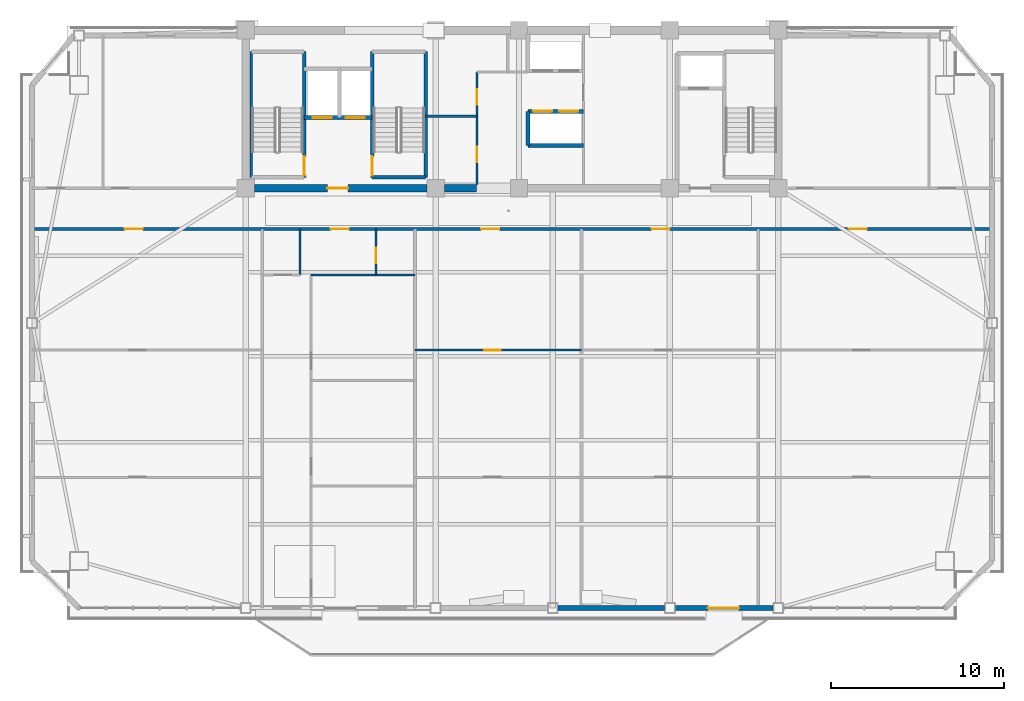
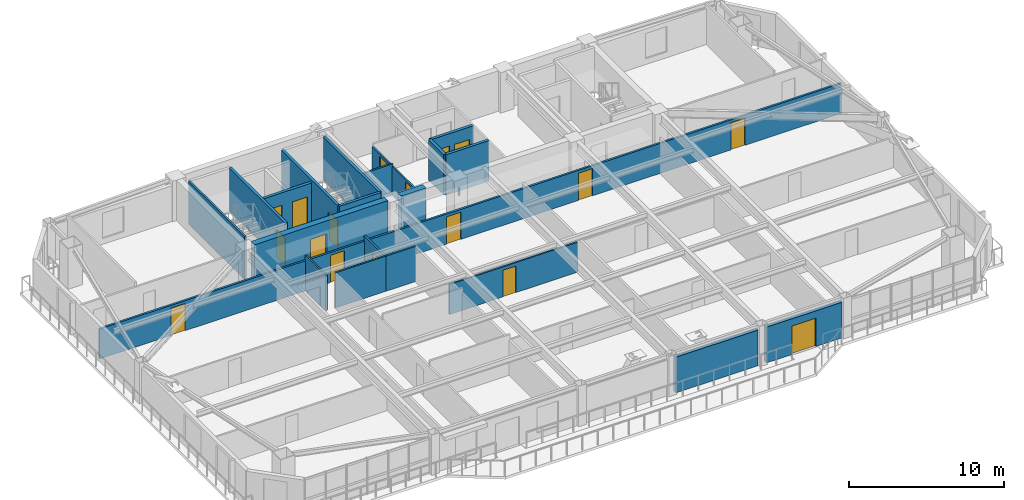
# One storey, part 9 of 16: 21 walls, 17 doors, 17 openings.
"""IFC4 building model written with IfcOpenShell, lengths in metres."""

from ifc_helpers import new_model, si_unit, direction, frame, frame_2d, origin, place, context, subcontext, project, spatial, rectangle, extrude, source, transform, mapped, material, layer, layer_set, type_object, element, fill, save


model = new_model("IFC4")

# Units and contexts
model_context = context("Model", 3, precision=1e-05, world=origin(), true_north=direction((0.0, 1.0)))
body_context = subcontext(model_context, "Body", "Model", "MODEL_VIEW")
ifc_project = project(units=[si_unit("LENGTHUNIT", "METRE"), si_unit("AREAUNIT", "SQUARE_METRE"), si_unit("VOLUMEUNIT", "CUBIC_METRE"), si_unit("PLANEANGLEUNIT", "RADIAN"), si_unit("MASSUNIT", "GRAM", prefix="KILO")], contexts=[model_context])

# Site, building, storey
site_placement = place(None, origin())
site = spatial("IfcSite", under=ifc_project, at=site_placement, CompositionType="ELEMENT")
building_placement = place(site_placement, origin())
building = spatial("IfcBuilding", under=site, at=building_placement, Name="Giltprow Tower", CompositionType="ELEMENT")
storey_placement = place(building_placement, frame((0.0, 0.0, 230.39990234375)))
storey = spatial("IfcBuildingStorey", under=building, at=storey_placement, Name="L58", CompositionType="ELEMENT", Elevation=230.39990234375)

# Wall
ifc_material_1 = material(Name="Precast concrete C40", Category="concrete")
ifc_layer_1 = layer(ifc_material_1, 0.280029296875, Name="Precast concrete C40")
ifc_layer_set_1 = layer_set([ifc_layer_1], Name="Precast concrete C40")
wall_type_1 = type_object("IfcWallType", Name="EW-TOW-BRONZE-280", PredefinedType="SOLIDWALL", material=ifc_layer_set_1)
wall_1_placement = place(storey_placement, frame((37.85009765625, 13.25, 0.0), z_axis=(0.0, 0.0, 1.0), x_axis=(1.0, 0.0, 0.0)))
element("IfcWall", 1, at=wall_1_placement, inside=storey, type_object=wall_type_1, Name="L58 South Expressed Frame Wall 4", PredefinedType="SOLIDWALL", context=body_context, shape_type="SweptSolid", body=[
    extrude(rectangle(XDim=6.14990234375, YDim=0.280029296875, at=frame_2d((3.074951171875, 0.0))), origin(), (0.0, 0.0, 1.0), 2.815185546875),
])

# Wall, opening, door
wall_2_placement = place(storey_placement, frame((44.60009765625, 13.25, 0.0), z_axis=(0.0, 0.0, 1.0), x_axis=(1.0, 0.0, 0.0)))
wall_2 = element("IfcWall", 2, at=wall_2_placement, inside=storey, type_object=wall_type_1, Name="L58 South Expressed Frame Wall 5", PredefinedType="SOLIDWALL", context=body_context, shape_type="SweptSolid", body=[
    extrude(rectangle(XDim=5.64990234375, YDim=0.280029296875, at=frame_2d((2.824951171875, 0.0))), origin(), (0.0, 0.0, 1.0), 2.815185546875),
])
opening_1_placement = place(wall_2_placement, frame((1.89990234375, 0.0, 0.0)))
opening_1 = element("IfcOpeningElement", 3, at=opening_1_placement, cuts=wall_2, Name="Opening ED25", PredefinedType="OPENING", context=body_context, shape_type="SweptSolid", body=[
    extrude(rectangle(XDim=1.800048828125, YDim=2.25, at=frame_2d((0.89990234375, 1.125))), frame((0.0, 0.14990234375, 0.0), z_axis=(0.0, -1.0, 0.0), x_axis=(1.0, 0.0, 0.0)), (0.0, 0.0, 1.0), 0.300048828125),
])
ifc_material_2 = material(Name="Anodized bronze and glass", Category="glass")
door_type_1 = type_object("IfcDoorType", Name="DR-BALC-SLIDE-1800", OperationType="SLIDING_TO_LEFT", PredefinedType="DOOR", material=ifc_material_2)
shared_shape_1 = source(origin(), body_context, "Body", "SweptSolid", [
    extrude(rectangle(XDim=1.800048828125, YDim=2.25, at=frame_2d((0.89990234375, 1.125))), frame((0.0, 0.02490234375, 0.0), z_axis=(0.0, -1.0, 0.0), x_axis=(1.0, 0.0, 0.0)), (0.0, 0.0, 1.0), 0.050048828125),
])
door_1_placement = place(opening_1_placement, origin())
door_1 = element("IfcDoor", 4, at=door_1_placement, inside=storey, type_object=door_type_1, Name="L58 Waterfront Balcony Sliding Door 2", OperationType="SLIDING_TO_LEFT", OverallHeight=2.25, OverallWidth=1.800048828125, PredefinedType="DOOR", context=body_context, shape_type="MappedRepresentation", body=[
    mapped(shared_shape_1, transform((0.0, 0.0, 0.0), x_axis=(1.0, 0.0, 0.0), y_axis=(0.0, 1.0, 0.0), z_axis=(0.0, 0.0, 1.0), scale=1.0)),
])
fill(opening_1, door_1)

# Wall, openings, doors
ifc_material_3 = material(Name="Gypsum stud partition", Category="gypsum")
ifc_layer_2 = layer(ifc_material_3, 0.14990234375, Name="Gypsum stud partition")
ifc_layer_set_2 = layer_set([ifc_layer_2], Name="Gypsum stud partition")
wall_type_2 = type_object("IfcWallType", Name="IW-CORR-150", PredefinedType="PARTITIONING", material=ifc_layer_set_2)
wall_3_placement = place(storey_placement, frame((7.532958984375, 35.10009765625, 0.0), z_axis=(0.0, 0.0, 1.0), x_axis=(1.0, 0.0, 0.0)))
wall_3 = element("IfcWall", 5, at=wall_3_placement, inside=storey, type_object=wall_type_2, Name="L58 Residence Gallery Corridor Wall", PredefinedType="PARTITIONING", context=body_context, shape_type="SweptSolid", body=[
    extrude(rectangle(XDim=55.333984375, YDim=0.14990234375, at=frame_2d((27.6669921875, 0.0))), origin(), (0.0, 0.0, 1.0), 2.3701171875),
])
opening_2_placement = place(wall_3_placement, frame((5.3349609375, 0.0, 0.0)))
opening_2 = element("IfcOpeningElement", 6, at=opening_2_placement, cuts=wall_3, Name="Opening ID31", PredefinedType="OPENING", context=body_context, shape_type="SweptSolid", body=[
    extrude(rectangle(XDim=1.050048828125, YDim=2.14990234375, at=frame_2d((0.52490234375, 1.074951171875))), frame((0.0, 0.0849609375, 0.0), z_axis=(0.0, -1.0, 0.0), x_axis=(1.0, 0.0, 0.0)), (0.0, 0.0, 1.0), 0.169921875),
])
opening_3_placement = place(wall_3_placement, frame((17.20703125, 0.0, 0.0)))
opening_3 = element("IfcOpeningElement", 7, at=opening_3_placement, cuts=wall_3, Name="Opening ID31", PredefinedType="OPENING", context=body_context, shape_type="SweptSolid", body=[
    extrude(rectangle(XDim=1.050048828125, YDim=2.14990234375, at=frame_2d((0.52490234375, 1.074951171875))), frame((0.0, 0.0849609375, 0.0), z_axis=(0.0, -1.0, 0.0), x_axis=(1.0, 0.0, 0.0)), (0.0, 0.0, 1.0), 0.169921875),
])
opening_4_placement = place(wall_3_placement, frame((25.884033203125, 0.0, 0.0)))
opening_4 = element("IfcOpeningElement", 8, at=opening_4_placement, cuts=wall_3, Name="Opening ID31", PredefinedType="OPENING", context=body_context, shape_type="SweptSolid", body=[
    extrude(rectangle(XDim=1.050048828125, YDim=2.14990234375, at=frame_2d((0.52490234375, 1.074951171875))), frame((0.0, 0.0849609375, 0.0), z_axis=(0.0, -1.0, 0.0), x_axis=(1.0, 0.0, 0.0)), (0.0, 0.0, 1.0), 0.169921875),
])
opening_5_placement = place(wall_3_placement, frame((35.7119140625, 0.0, 0.0)))
opening_5 = element("IfcOpeningElement", 9, at=opening_5_placement, cuts=wall_3, Name="Opening ID31", PredefinedType="OPENING", context=body_context, shape_type="SweptSolid", body=[
    extrude(rectangle(XDim=1.050048828125, YDim=2.14990234375, at=frame_2d((0.52490234375, 1.074951171875))), frame((0.0, 0.0849609375, 0.0), z_axis=(0.0, -1.0, 0.0), x_axis=(1.0, 0.0, 0.0)), (0.0, 0.0, 1.0), 0.169921875),
])
opening_6_placement = place(wall_3_placement, frame((47.077880859375, 0.0, 0.0)))
opening_6 = element("IfcOpeningElement", 10, at=opening_6_placement, cuts=wall_3, Name="Opening ID31", PredefinedType="OPENING", context=body_context, shape_type="SweptSolid", body=[
    extrude(rectangle(XDim=1.050048828125, YDim=2.14990234375, at=frame_2d((0.52490234375, 1.074951171875))), frame((0.0, 0.0849609375, 0.0), z_axis=(0.0, -1.0, 0.0), x_axis=(1.0, 0.0, 0.0)), (0.0, 0.0, 1.0), 0.169921875),
])
ifc_material_4 = material(Name="Engineered timber", Category="wood")
door_type_2 = type_object("IfcDoorType", Name="DR-SUITE-1050", OperationType="SINGLE_SWING_LEFT", PredefinedType="DOOR", material=ifc_material_4)
shared_shape_2 = source(origin(), body_context, "Body", "SweptSolid", [
    extrude(rectangle(XDim=1.050048828125, YDim=2.14990234375, at=frame_2d((0.52490234375, 1.074951171875))), frame((0.0, 0.02490234375, 0.0), z_axis=(0.0, -1.0, 0.0), x_axis=(1.0, 0.0, 0.0)), (0.0, 0.0, 1.0), 0.050048828125),
])
door_2_placement = place(opening_2_placement, origin())
door_2 = element("IfcDoor", 11, at=door_2_placement, inside=storey, type_object=door_type_2, Name="L58 Harbour Lounge Salon North Door", OperationType="SINGLE_SWING_RIGHT", OverallHeight=2.14990234375, OverallWidth=1.050048828125, PredefinedType="DOOR", context=body_context, shape_type="MappedRepresentation", body=[
    mapped(shared_shape_2, transform((0.0, 0.0, 0.0), x_axis=(1.0, 0.0, 0.0), y_axis=(0.0, 1.0, 0.0), z_axis=(0.0, 0.0, 1.0), scale=1.0)),
])
fill(opening_2, door_2)
door_3_placement = place(opening_3_placement, origin())
door_3 = element("IfcDoor", 12, at=door_3_placement, inside=storey, type_object=door_type_2, Name="L58 Unit 1 Entrance Door", OperationType="SINGLE_SWING_LEFT", OverallHeight=2.14990234375, OverallWidth=1.050048828125, PredefinedType="DOOR", context=body_context, shape_type="MappedRepresentation", body=[
    mapped(shared_shape_2, transform((0.0, 0.0, 0.0), x_axis=(1.0, 0.0, 0.0), y_axis=(0.0, 1.0, 0.0), z_axis=(0.0, 0.0, 1.0), scale=1.0)),
])
fill(opening_3, door_3)
door_4_placement = place(opening_4_placement, origin())
door_4 = element("IfcDoor", 13, at=door_4_placement, inside=storey, type_object=door_type_2, Name="L58 Residents Sky Club Lounge North Door", OperationType="SINGLE_SWING_LEFT", OverallHeight=2.14990234375, OverallWidth=1.050048828125, PredefinedType="DOOR", context=body_context, shape_type="MappedRepresentation", body=[
    mapped(shared_shape_2, transform((0.0, 0.0, 0.0), x_axis=(1.0, 0.0, 0.0), y_axis=(0.0, 1.0, 0.0), z_axis=(0.0, 0.0, 1.0), scale=1.0)),
])
fill(opening_4, door_4)
door_5_placement = place(opening_5_placement, origin())
door_5 = element("IfcDoor", 14, at=door_5_placement, inside=storey, type_object=door_type_2, Name="L58 Residents Sky Club Lounge North Door", OperationType="SINGLE_SWING_RIGHT", OverallHeight=2.14990234375, OverallWidth=1.050048828125, PredefinedType="DOOR", context=body_context, shape_type="MappedRepresentation", body=[
    mapped(shared_shape_2, transform((0.0, 0.0, 0.0), x_axis=(1.0, 0.0, 0.0), y_axis=(0.0, 1.0, 0.0), z_axis=(0.0, 0.0, 1.0), scale=1.0)),
])
fill(opening_5, door_5)
door_6_placement = place(opening_6_placement, origin())
door_6 = element("IfcDoor", 15, at=door_6_placement, inside=storey, type_object=door_type_2, Name="L58 Sky Music Lounge North Door", OperationType="SINGLE_SWING_LEFT", OverallHeight=2.14990234375, OverallWidth=1.050048828125, PredefinedType="DOOR", context=body_context, shape_type="MappedRepresentation", body=[
    mapped(shared_shape_2, transform((0.0, 0.0, 0.0), x_axis=(1.0, 0.0, 0.0), y_axis=(0.0, 1.0, 0.0), z_axis=(0.0, 0.0, 1.0), scale=1.0)),
])
fill(opening_6, door_6)

# Wall
ifc_layer_3 = layer(ifc_material_3, 0.1201171875, Name="Gypsum stud partition")
ifc_layer_set_3 = layer_set([ifc_layer_3], Name="Gypsum stud partition")
wall_type_3 = type_object("IfcWallType", Name="IW-ROOM-120", PredefinedType="PARTITIONING", material=ifc_layer_set_3)
wall_4_placement = place(storey_placement, frame((23.6201171875, 32.449951171875, 0.0), z_axis=(0.0, 0.0, 1.0), x_axis=(1.0, 0.0, 0.0)))
element("IfcWall", 16, at=wall_4_placement, inside=storey, type_object=wall_type_3, Name="L58 Unit 1 Bedroom North Wall", PredefinedType="PARTITIONING", context=body_context, shape_type="SweptSolid", body=[
    extrude(rectangle(XDim=3.739990234375, YDim=0.1201171875, at=frame_2d((1.8701171875, 0.0))), origin(), (0.0, 0.0, 1.0), 2.77001953125),
])

# Wall, opening, door
wall_5_placement = place(storey_placement, frame((29.60009765625, 28.117919921875, 0.0), z_axis=(0.0, 0.0, 1.0), x_axis=(1.0, 0.0, 0.0)))
wall_5 = element("IfcWall", 17, at=wall_5_placement, inside=storey, type_object=wall_type_3, Name="L58 Special Split 2", PredefinedType="PARTITIONING", context=body_context, shape_type="SweptSolid", body=[
    extrude(rectangle(XDim=9.599853515625, YDim=0.1201171875, at=frame_2d((4.7998046875, 0.0))), origin(), (0.0, 0.0, 1.0), 2.3701171875),
])
opening_7_placement = place(wall_5_placement, frame((4.006103515625, 0.0, 0.0)))
opening_7 = element("IfcOpeningElement", 18, at=opening_7_placement, cuts=wall_5, Name="Opening ID11", PredefinedType="OPENING", context=body_context, shape_type="SweptSolid", body=[
    extrude(rectangle(XDim=0.949951171875, YDim=2.10009765625, at=frame_2d((0.47509765625, 1.050048828125))), frame((0.0, 0.070068359375, 0.0), z_axis=(0.0, -1.0, 0.0), x_axis=(1.0, 0.0, 0.0)), (0.0, 0.0, 1.0), 0.14013671875),
])
door_type_3 = type_object("IfcDoorType", Name="DR-ROOM-950", OperationType="SINGLE_SWING_RIGHT", PredefinedType="DOOR", material=ifc_material_4)
shared_shape_3 = source(origin(), body_context, "Body", "SweptSolid", [
    extrude(rectangle(XDim=0.949951171875, YDim=2.10009765625, at=frame_2d((0.47509765625, 1.050048828125))), frame((0.0, 0.02490234375, 0.0), z_axis=(0.0, -1.0, 0.0), x_axis=(1.0, 0.0, 0.0)), (0.0, 0.0, 1.0), 0.050048828125),
])
door_7_placement = place(opening_7_placement, origin())
door_7 = element("IfcDoor", 19, at=door_7_placement, inside=storey, type_object=door_type_3, Name="L58 Residents Sky Club Lounge Mid Door", OperationType="SINGLE_SWING_RIGHT", OverallHeight=2.10009765625, OverallWidth=0.949951171875, PredefinedType="DOOR", context=body_context, shape_type="MappedRepresentation", body=[
    mapped(shared_shape_3, transform((0.0, 0.0, 0.0), x_axis=(1.0, 0.0, 0.0), y_axis=(0.0, 1.0, 0.0), z_axis=(0.0, 0.0, 1.0), scale=1.0)),
])
fill(opening_7, door_7)

# Wall, openings, doors
ifc_material_5 = material(Name="Concrete C40", Category="concrete")
ifc_layer_4 = layer(ifc_material_5, 0.219970703125, Name="Concrete C40")
ifc_layer_set_4 = layer_set([ifc_layer_4], Name="Concrete C40")
wall_type_4 = type_object("IfcWallType", Name="IW-SHAFT-220", PredefinedType="SOLIDWALL", material=ifc_layer_set_4)
wall_6_placement = place(storey_placement, frame((23.219970703125, 41.52001953125, 0.0), z_axis=(0.0, 0.0, 1.0), x_axis=(1.0, 0.0, 0.0)))
wall_6 = element("IfcWall", 20, at=wall_6_placement, inside=storey, type_object=wall_type_4, Name="L58 FFL1 and Service Lift Front Wall", PredefinedType="SOLIDWALL", context=body_context, shape_type="SweptSolid", body=[
    extrude(rectangle(XDim=3.919921875, YDim=0.219970703125, at=frame_2d((1.9599609375, 0.0))), origin(), (0.0, 0.0, 1.0), 3.18505859375),
])
opening_8_placement = place(wall_6_placement, frame((0.5, 0.0, 0.0)))
opening_8 = element("IfcOpeningElement", 21, at=opening_8_placement, cuts=wall_6, Name="Opening LD-11", PredefinedType="OPENING", context=body_context, shape_type="SweptSolid", body=[
    extrude(rectangle(XDim=1.10009765625, YDim=2.199951171875, at=frame_2d((0.550048828125, 1.10009765625))), frame((0.0, 0.119873046875, 0.0), z_axis=(0.0, -1.0, 0.0), x_axis=(1.0, 0.0, 0.0)), (0.0, 0.0, 1.0), 0.239990234375),
])
opening_9_placement = place(wall_6_placement, frame((2.39990234375, 0.0, 0.0)))
opening_9 = element("IfcOpeningElement", 22, at=opening_9_placement, cuts=wall_6, Name="Opening LD-11", PredefinedType="OPENING", context=body_context, shape_type="SweptSolid", body=[
    extrude(rectangle(XDim=1.10009765625, YDim=2.199951171875, at=frame_2d((0.550048828125, 1.10009765625))), frame((0.0, 0.119873046875, 0.0), z_axis=(0.0, -1.0, 0.0), x_axis=(1.0, 0.0, 0.0)), (0.0, 0.0, 1.0), 0.239990234375),
])
ifc_material_6 = material(Name="Stainless steel", Category="steel")
door_type_4 = type_object("IfcDoorType", Name="DR-LIFT-LD1100", OperationType="SLIDING_TO_LEFT", PredefinedType="DOOR", material=ifc_material_6)
shared_shape_4 = source(origin(), body_context, "Body", "SweptSolid", [
    extrude(rectangle(XDim=1.10009765625, YDim=2.199951171875, at=frame_2d((0.550048828125, 1.10009765625))), frame((0.0, 0.02490234375, 0.0), z_axis=(0.0, -1.0, 0.0), x_axis=(1.0, 0.0, 0.0)), (0.0, 0.0, 1.0), 0.050048828125),
])
door_8_placement = place(opening_8_placement, origin())
door_8 = element("IfcDoor", 23, at=door_8_placement, inside=storey, type_object=door_type_4, Name="L58 FFL1 Landing Door", OperationType="SLIDING_TO_LEFT", OverallHeight=2.199951171875, OverallWidth=1.10009765625, PredefinedType="DOOR", context=body_context, shape_type="MappedRepresentation", body=[
    mapped(shared_shape_4, transform((0.0, 0.0, 0.0), x_axis=(1.0, 0.0, 0.0), y_axis=(0.0, 1.0, 0.0), z_axis=(0.0, 0.0, 1.0), scale=1.0)),
])
fill(opening_8, door_8)
door_9_placement = place(opening_9_placement, origin())
door_9 = element("IfcDoor", 24, at=door_9_placement, inside=storey, type_object=door_type_4, Name="L58 SVL1 Landing Door", OperationType="SLIDING_TO_LEFT", OverallHeight=2.199951171875, OverallWidth=1.10009765625, PredefinedType="DOOR", context=body_context, shape_type="MappedRepresentation", body=[
    mapped(shared_shape_4, transform((0.0, 0.0, 0.0), x_axis=(1.0, 0.0, 0.0), y_axis=(0.0, 1.0, 0.0), z_axis=(0.0, 0.0, 1.0), scale=1.0)),
])
fill(opening_9, door_9)

wall_7_placement = place(storey_placement, frame((36.1201171875, 41.8798828125, 0.0), z_axis=(0.0, 0.0, 1.0), x_axis=(1.0, 0.0, 0.0)))
wall_7 = element("IfcWall", 25, at=wall_7_placement, inside=storey, type_object=wall_type_4, Name="L58 High-Rise Lift Shaft Front Wall S", PredefinedType="SOLIDWALL", context=body_context, shape_type="SweptSolid", body=[
    extrude(rectangle(XDim=3.199951171875, YDim=0.219970703125, at=frame_2d((1.60009765625, 0.0))), origin(), (0.0, 0.0, 1.0), 3.18505859375),
])
opening_10_placement = place(wall_7_placement, frame((0.300048828125, 0.0, 0.0)))
opening_10 = element("IfcOpeningElement", 26, at=opening_10_placement, cuts=wall_7, Name="Opening LD-11", PredefinedType="OPENING", context=body_context, shape_type="SweptSolid", body=[
    extrude(rectangle(XDim=1.10009765625, YDim=2.199951171875, at=frame_2d((0.550048828125, 1.10009765625))), frame((0.0, 0.119873046875, 0.0), z_axis=(0.0, -1.0, 0.0), x_axis=(1.0, 0.0, 0.0)), (0.0, 0.0, 1.0), 0.239990234375),
])
opening_11_placement = place(wall_7_placement, frame((1.7900390625, 0.0, 0.0)))
opening_11 = element("IfcOpeningElement", 27, at=opening_11_placement, cuts=wall_7, Name="Opening LD-11", PredefinedType="OPENING", context=body_context, shape_type="SweptSolid", body=[
    extrude(rectangle(XDim=1.10009765625, YDim=2.199951171875, at=frame_2d((0.550048828125, 1.10009765625))), frame((0.0, 0.119873046875, 0.0), z_axis=(0.0, -1.0, 0.0), x_axis=(1.0, 0.0, 0.0)), (0.0, 0.0, 1.0), 0.239990234375),
])
door_10_placement = place(opening_10_placement, origin())
door_10 = element("IfcDoor", 28, at=door_10_placement, inside=storey, type_object=door_type_4, Name="L58 PL-H3 Landing Door", OperationType="SLIDING_TO_LEFT", OverallHeight=2.199951171875, OverallWidth=1.10009765625, PredefinedType="DOOR", context=body_context, shape_type="MappedRepresentation", body=[
    mapped(shared_shape_4, transform((0.0, 0.0, 0.0), x_axis=(1.0, 0.0, 0.0), y_axis=(0.0, 1.0, 0.0), z_axis=(0.0, 0.0, 1.0), scale=1.0)),
])
fill(opening_10, door_10)
door_11_placement = place(opening_11_placement, origin())
door_11 = element("IfcDoor", 29, at=door_11_placement, inside=storey, type_object=door_type_4, Name="L58 PL-H4 Landing Door", OperationType="SLIDING_TO_LEFT", OverallHeight=2.199951171875, OverallWidth=1.10009765625, PredefinedType="DOOR", context=body_context, shape_type="MappedRepresentation", body=[
    mapped(shared_shape_4, transform((0.0, 0.0, 0.0), x_axis=(1.0, 0.0, 0.0), y_axis=(0.0, 1.0, 0.0), z_axis=(0.0, 0.0, 1.0), scale=1.0)),
])
fill(opening_11, door_11)

# Walls
wall_8_placement = place(storey_placement, frame((36.1201171875, 39.919921875, 0.0), z_axis=(0.0, 0.0, 1.0), x_axis=(1.0, 0.0, 0.0)))
element("IfcWall", 30, at=wall_8_placement, inside=storey, type_object=wall_type_4, Name="L58 High-Rise South Lift Back Wall", PredefinedType="SOLIDWALL", context=body_context, shape_type="SweptSolid", body=[
    extrude(rectangle(XDim=3.199951171875, YDim=0.219970703125, at=frame_2d((1.60009765625, 0.0))), origin(), (0.0, 0.0, 1.0), 3.18505859375),
])
wall_9_placement = place(storey_placement, frame((36.1201171875, 39.919921875, 0.0), z_axis=(0.0, 0.0, 1.0), x_axis=(0.0, 1.0, 0.0)))
element("IfcWall", 31, at=wall_9_placement, inside=storey, type_object=wall_type_4, Name="L58 High-Rise South Lift West Closure", PredefinedType="SOLIDWALL", context=body_context, shape_type="SweptSolid", body=[
    extrude(rectangle(XDim=1.9599609375, YDim=0.219970703125, at=frame_2d((0.97998046875, 0.0))), origin(), (0.0, 0.0, 1.0), 3.18505859375),
])
ifc_material_7 = material(Name="Concrete C45", Category="concrete")
ifc_layer_5 = layer(ifc_material_7, 0.139892578125, Name="Concrete C45")
ifc_layer_set_5 = layer_set([ifc_layer_5], Name="Concrete C45")
wall_type_5 = type_object("IfcWallType", Name="IW-STAIR-140", PredefinedType="SOLIDWALL", material=ifc_layer_set_5)
wall_10_placement = place(storey_placement, frame((20.169921875, 38.070068359375, 0.0), z_axis=(0.0, 0.0, 1.0), x_axis=(0.0, 1.0, 0.0)))
element("IfcWall", 32, at=wall_10_placement, inside=storey, type_object=wall_type_5, Name="L58 Stair ST-1 West Bearing Wall", PredefinedType="SOLIDWALL", context=body_context, shape_type="SweptSolid", body=[
    extrude(rectangle(XDim=7.25, YDim=0.139892578125, at=frame_2d((3.625, 0.0))), origin(), (0.0, 0.0, 1.0), 3.400146484375),
])

# Wall, opening, door
ifc_layer_6 = layer(ifc_material_5, 0.199951171875, Name="Concrete C40")
ifc_layer_set_6 = layer_set([ifc_layer_6], Name="Concrete C40")
wall_type_6 = type_object("IfcWallType", Name="IW-STAIR-200", PredefinedType="SOLIDWALL", material=ifc_layer_set_6)
wall_11_placement = place(storey_placement, frame((23.219970703125, 38.070068359375, 0.0), z_axis=(0.0, 0.0, 1.0), x_axis=(0.0, 1.0, 0.0)))
wall_11 = element("IfcWall", 33, at=wall_11_placement, inside=storey, type_object=wall_type_6, Name="L58 Stair ST-1 East Bearing Wall", PredefinedType="SOLIDWALL", context=body_context, shape_type="SweptSolid", body=[
    extrude(rectangle(XDim=7.25, YDim=0.199951171875, at=frame_2d((3.625, 0.0))), origin(), (0.0, 0.0, 1.0), 3.400146484375),
])
opening_12_placement = place(wall_11_placement, frame((0.110107421875, 0.0, 0.0)))
opening_12 = element("IfcOpeningElement", 34, at=opening_12_placement, cuts=wall_11, Name="Opening ID33", PredefinedType="OPENING", context=body_context, shape_type="SweptSolid", body=[
    extrude(rectangle(XDim=1.10009765625, YDim=2.14990234375, at=frame_2d((0.550048828125, 1.074951171875))), frame((0.0, 0.10986328125, 0.0), z_axis=(0.0, -1.0, 0.0), x_axis=(1.0, 0.0, 0.0)), (0.0, 0.0, 1.0), 0.219970703125),
])
ifc_material_8 = material(Name="Steel fire leaf", Category="steel")
door_type_5 = type_object("IfcDoorType", Name="DR-STAIR-1100", OperationType="SINGLE_SWING_LEFT", PredefinedType="DOOR", material=ifc_material_8)
shared_shape_5 = source(origin(), body_context, "Body", "SweptSolid", [
    extrude(rectangle(XDim=1.10009765625, YDim=2.14990234375, at=frame_2d((0.550048828125, 1.074951171875))), frame((0.0, 0.02490234375, 0.0), z_axis=(0.0, -1.0, 0.0), x_axis=(1.0, 0.0, 0.0)), (0.0, 0.0, 1.0), 0.050048828125),
])
door_12_placement = place(opening_12_placement, origin())
door_12 = element("IfcDoor", 35, at=door_12_placement, inside=storey, type_object=door_type_5, Name="L58 Stair ST-1 Fire Door", OperationType="SINGLE_SWING_RIGHT", OverallHeight=2.14990234375, OverallWidth=1.10009765625, PredefinedType="DOOR", context=body_context, shape_type="MappedRepresentation", body=[
    mapped(shared_shape_5, transform((0.0, 0.0, 0.0), x_axis=(1.0, 0.0, 0.0), y_axis=(0.0, 1.0, 0.0), z_axis=(0.0, 0.0, 1.0), scale=1.0)),
])
fill(opening_12, door_12)

wall_12_placement = place(storey_placement, frame((27.139892578125, 38.070068359375, 0.0), z_axis=(0.0, 0.0, 1.0), x_axis=(0.0, 1.0, 0.0)))
wall_12 = element("IfcWall", 36, at=wall_12_placement, inside=storey, type_object=wall_type_6, Name="L58 Stair ST-2 West Bearing Wall", PredefinedType="SOLIDWALL", context=body_context, shape_type="SweptSolid", body=[
    extrude(rectangle(XDim=7.25, YDim=0.199951171875, at=frame_2d((3.625, 0.0))), origin(), (0.0, 0.0, 1.0), 3.400146484375),
])
opening_13_placement = place(wall_12_placement, frame((0.110107421875, 0.0, 0.0)))
opening_13 = element("IfcOpeningElement", 37, at=opening_13_placement, cuts=wall_12, Name="Opening ID33", PredefinedType="OPENING", context=body_context, shape_type="SweptSolid", body=[
    extrude(rectangle(XDim=1.10009765625, YDim=2.14990234375, at=frame_2d((0.550048828125, 1.074951171875))), frame((0.0, 0.10986328125, 0.0), z_axis=(0.0, -1.0, 0.0), x_axis=(1.0, 0.0, 0.0)), (0.0, 0.0, 1.0), 0.219970703125),
])
door_13_placement = place(opening_13_placement, origin())
door_13 = element("IfcDoor", 38, at=door_13_placement, inside=storey, type_object=door_type_5, Name="L58 Stair ST-2 Fire Door", OperationType="SINGLE_SWING_LEFT", OverallHeight=2.14990234375, OverallWidth=1.10009765625, PredefinedType="DOOR", context=body_context, shape_type="MappedRepresentation", body=[
    mapped(shared_shape_5, transform((0.0, 0.0, 0.0), x_axis=(1.0, 0.0, 0.0), y_axis=(0.0, 1.0, 0.0), z_axis=(0.0, 0.0, 1.0), scale=1.0)),
])
fill(opening_13, door_13)

# Walls
wall_13_placement = place(storey_placement, frame((30.219970703125, 38.070068359375, 0.0), z_axis=(0.0, 0.0, 1.0), x_axis=(0.0, 1.0, 0.0)))
element("IfcWall", 39, at=wall_13_placement, inside=storey, type_object=wall_type_6, Name="L58 Stair ST-2 East Bearing Wall", PredefinedType="SOLIDWALL", context=body_context, shape_type="SweptSolid", body=[
    extrude(rectangle(XDim=7.25, YDim=0.199951171875, at=frame_2d((3.625, 0.0))), origin(), (0.0, 0.0, 1.0), 3.400146484375),
])
wall_14_placement = place(storey_placement, frame((27.139892578125, 38.070068359375, 0.0), z_axis=(0.0, 0.0, 1.0), x_axis=(1.0, 0.0, 0.0)))
element("IfcWall", 40, at=wall_14_placement, inside=storey, type_object=wall_type_6, Name="L58 Stair ST-2 South Bearing Wall", PredefinedType="SOLIDWALL", context=body_context, shape_type="SweptSolid", body=[
    extrude(rectangle(XDim=3.080078125, YDim=0.199951171875, at=frame_2d((1.5400390625, 0.0))), origin(), (0.0, 0.0, 1.0), 3.400146484375),
])

# Wall, openings, doors
ifc_material_9 = material(Name="Concrete C30", Category="concrete")
ifc_layer_7 = layer(ifc_material_9, 0.1298828125, Name="Concrete C30")
ifc_layer_set_7 = layer_set([ifc_layer_7], Name="Concrete C30")
wall_type_7 = type_object("IfcWallType", Name="IW-WET-130", PredefinedType="PARTITIONING", material=ifc_layer_set_7)
wall_15_placement = place(storey_placement, frame((33.179931640625, 37.655029296875, 0.0), z_axis=(0.0, 0.0, 1.0), x_axis=(0.0, 1.0, 0.0)))
wall_15 = element("IfcWall", 41, at=wall_15_placement, inside=storey, type_object=wall_type_7, Name="L58 Reclaimed West Core Wall", PredefinedType="PARTITIONING", context=body_context, shape_type="SweptSolid", body=[
    extrude(rectangle(XDim=6.494873046875, YDim=0.1298828125, at=frame_2d((3.24755859375, 0.0))), origin(), (0.0, 0.0, 1.0), 2.27001953125),
])
opening_14_placement = place(wall_15_placement, frame((1.294921875, 0.0, 0.0)))
opening_14 = element("IfcOpeningElement", 42, at=opening_14_placement, cuts=wall_15, Name="Opening ID35", PredefinedType="OPENING", context=body_context, shape_type="SweptSolid", body=[
    extrude(rectangle(XDim=0.89990234375, YDim=2.10009765625, at=frame_2d((0.449951171875, 1.050048828125))), frame((0.0, 0.074951171875, 0.0), z_axis=(0.0, -1.0, 0.0), x_axis=(1.0, 0.0, 0.0)), (0.0, 0.0, 1.0), 0.14990234375),
])
opening_15_placement = place(wall_15_placement, frame((4.594970703125, 0.0, 0.0)))
opening_15 = element("IfcOpeningElement", 43, at=opening_15_placement, cuts=wall_15, Name="Opening ID35", PredefinedType="OPENING", context=body_context, shape_type="SweptSolid", body=[
    extrude(rectangle(XDim=0.89990234375, YDim=2.10009765625, at=frame_2d((0.449951171875, 1.050048828125))), frame((0.0, 0.074951171875, 0.0), z_axis=(0.0, -1.0, 0.0), x_axis=(1.0, 0.0, 0.0)), (0.0, 0.0, 1.0), 0.14990234375),
])
door_type_6 = type_object("IfcDoorType", Name="DR-SHAFT-900", OperationType="SINGLE_SWING_LEFT", PredefinedType="DOOR", material=ifc_material_8)
shared_shape_6 = source(origin(), body_context, "Body", "SweptSolid", [
    extrude(rectangle(XDim=0.89990234375, YDim=2.10009765625, at=frame_2d((0.449951171875, 1.050048828125))), frame((0.0, 0.02490234375, 0.0), z_axis=(0.0, -1.0, 0.0), x_axis=(1.0, 0.0, 0.0)), (0.0, 0.0, 1.0), 0.050048828125),
])
door_14_placement = place(opening_14_placement, origin())
door_14 = element("IfcDoor", 44, at=door_14_placement, inside=storey, type_object=door_type_6, Name="L58 Core Powder Room Door", OperationType="SINGLE_SWING_LEFT", OverallHeight=2.10009765625, OverallWidth=0.89990234375, PredefinedType="DOOR", context=body_context, shape_type="MappedRepresentation", body=[
    mapped(shared_shape_6, transform((0.0, 0.0, 0.0), x_axis=(1.0, 0.0, 0.0), y_axis=(0.0, 1.0, 0.0), z_axis=(0.0, 0.0, 1.0), scale=1.0)),
])
fill(opening_14, door_14)
door_15_placement = place(opening_15_placement, origin())
door_15 = element("IfcDoor", 45, at=door_15_placement, inside=storey, type_object=door_type_6, Name="L58 Core Valet Pantry Door", OperationType="SINGLE_SWING_RIGHT", OverallHeight=2.10009765625, OverallWidth=0.89990234375, PredefinedType="DOOR", context=body_context, shape_type="MappedRepresentation", body=[
    mapped(shared_shape_6, transform((0.0, 0.0, 0.0), x_axis=(1.0, 0.0, 0.0), y_axis=(0.0, 1.0, 0.0), z_axis=(0.0, 0.0, 1.0), scale=1.0)),
])
fill(opening_15, door_15)

# Walls
wall_16_placement = place(storey_placement, frame((30.219970703125, 41.60009765625, 0.0), z_axis=(0.0, 0.0, 1.0), x_axis=(1.0, 0.0, 0.0)))
element("IfcWall", 46, at=wall_16_placement, inside=storey, type_object=wall_type_7, Name="L58 West Core Split", PredefinedType="PARTITIONING", context=body_context, shape_type="SweptSolid", body=[
    extrude(rectangle(XDim=2.9599609375, YDim=0.1298828125, at=frame_2d((1.47998046875, 0.0))), origin(), (0.0, 0.0, 1.0), 2.47021484375),
])
wall_17_placement = place(storey_placement, frame((22.969970703125, 32.449951171875, 0.0), z_axis=(0.0, 0.0, 1.0), x_axis=(0.0, 1.0, 0.0)))
element("IfcWall", 47, at=wall_17_placement, inside=storey, type_object=wall_type_7, Name="L58 Unit 1 Kitchen East Wall", PredefinedType="PARTITIONING", context=body_context, shape_type="SweptSolid", body=[
    extrude(rectangle(XDim=2.650146484375, YDim=0.1298828125, at=frame_2d((1.3251953125, 0.0))), origin(), (0.0, 0.0, 1.0), 2.77001953125),
])
wall_18_placement = place(storey_placement, frame((27.360107421875, 32.449951171875, 0.0), z_axis=(0.0, 0.0, 1.0), x_axis=(1.0, 0.0, 0.0)))
element("IfcWall", 48, at=wall_18_placement, inside=storey, type_object=wall_type_7, Name="L58 Unit 1 Bathroom South Wall", PredefinedType="PARTITIONING", context=body_context, shape_type="SweptSolid", body=[
    extrude(rectangle(XDim=2.239990234375, YDim=0.1298828125, at=frame_2d((1.1201171875, 0.0))), origin(), (0.0, 0.0, 1.0), 2.77001953125),
])

# Wall, opening, door
wall_19_placement = place(storey_placement, frame((27.360107421875, 32.449951171875, 0.0), z_axis=(0.0, 0.0, 1.0), x_axis=(0.0, 1.0, 0.0)))
wall_19 = element("IfcWall", 49, at=wall_19_placement, inside=storey, type_object=wall_type_7, Name="L58 Unit 1 Bathroom West Wall", PredefinedType="PARTITIONING", context=body_context, shape_type="SweptSolid", body=[
    extrude(rectangle(XDim=2.650146484375, YDim=0.1298828125, at=frame_2d((1.3251953125, 0.0))), origin(), (0.0, 0.0, 1.0), 2.77001953125),
])
opening_16_placement = place(wall_19_placement, frame((0.669921875, 0.0, 0.0)))
opening_16 = element("IfcOpeningElement", 50, at=opening_16_placement, cuts=wall_19, Name="Opening ID15", PredefinedType="OPENING", context=body_context, shape_type="SweptSolid", body=[
    extrude(rectangle(XDim=0.89990234375, YDim=2.10009765625, at=frame_2d((0.449951171875, 1.050048828125))), frame((0.0, 0.074951171875, 0.0), z_axis=(0.0, -1.0, 0.0), x_axis=(1.0, 0.0, 0.0)), (0.0, 0.0, 1.0), 0.14990234375),
])
door_type_7 = type_object("IfcDoorType", Name="DR-WC-900", OperationType="SINGLE_SWING_LEFT", PredefinedType="DOOR", material=ifc_material_4)
door_16_placement = place(opening_16_placement, origin())
door_16 = element("IfcDoor", 51, at=door_16_placement, inside=storey, type_object=door_type_7, Name="L58 Unit 1 Bathroom Door", OperationType="SINGLE_SWING_LEFT", OverallHeight=2.10009765625, OverallWidth=0.89990234375, PredefinedType="DOOR", context=body_context, shape_type="MappedRepresentation", body=[
    mapped(shared_shape_6, transform((0.0, 0.0, 0.0), x_axis=(1.0, 0.0, 0.0), y_axis=(0.0, 1.0, 0.0), z_axis=(0.0, 0.0, 1.0), scale=1.0)),
])
fill(opening_16, door_16)

ifc_material_10 = material(Name="Concrete C50", Category="concrete")
ifc_layer_8 = layer(ifc_material_10, 0.449951171875, Name="Concrete C50")
ifc_layer_set_8 = layer_set([ifc_layer_8], Name="Concrete C50")
wall_type_8 = type_object("IfcWallType", Name="SW-INT-450-C50", PredefinedType="SHEAR", material=ifc_layer_set_8)
wall_20_placement = place(storey_placement, frame((20.35009765625, 37.449951171875, 0.0), z_axis=(0.0, 0.0, 1.0), x_axis=(1.0, 0.0, 0.0)))
wall_20 = element("IfcWall", 52, at=wall_20_placement, inside=storey, type_object=wall_type_8, Name="L58 South Rear Core Shear Wall West", PredefinedType="SHEAR", context=body_context, shape_type="SweptSolid", body=[
    extrude(rectangle(XDim=9.949951171875, YDim=0.449951171875, at=frame_2d((4.97509765625, 0.0))), origin(), (0.0, 0.0, 1.0), 3.18505859375),
])
opening_17_placement = place(wall_20_placement, frame((4.199951171875, 0.0, 0.0)))
opening_17 = element("IfcOpeningElement", 53, at=opening_17_placement, cuts=wall_20, Name="Opening ID19", PredefinedType="OPENING", context=body_context, shape_type="SweptSolid", body=[
    extrude(rectangle(XDim=1.199951171875, YDim=2.14990234375, at=frame_2d((0.60009765625, 1.074951171875))), frame((0.0, 0.23486328125, 0.0), z_axis=(0.0, -1.0, 0.0), x_axis=(1.0, 0.0, 0.0)), (0.0, 0.0, 1.0), 0.469970703125),
])
door_type_8 = type_object("IfcDoorType", Name="DR-FFLOBBY-1200", OperationType="SINGLE_SWING_RIGHT", PredefinedType="DOOR", material=ifc_material_8)
shared_shape_7 = source(origin(), body_context, "Body", "SweptSolid", [
    extrude(rectangle(XDim=1.199951171875, YDim=2.14990234375, at=frame_2d((0.60009765625, 1.074951171875))), frame((0.0, 0.02490234375, 0.0), z_axis=(0.0, -1.0, 0.0), x_axis=(1.0, 0.0, 0.0)), (0.0, 0.0, 1.0), 0.050048828125),
])
door_17_placement = place(opening_17_placement, origin())
door_17 = element("IfcDoor", 54, at=door_17_placement, inside=storey, type_object=door_type_8, Name="L58 West Firefighting Lobby Entry Door", OperationType="SINGLE_SWING_LEFT", OverallHeight=2.14990234375, OverallWidth=1.199951171875, PredefinedType="DOOR", context=body_context, shape_type="MappedRepresentation", body=[
    mapped(shared_shape_7, transform((0.0, 0.0, 0.0), x_axis=(1.0, 0.0, 0.0), y_axis=(0.0, 1.0, 0.0), z_axis=(0.0, 0.0, 1.0), scale=1.0)),
])
fill(opening_17, door_17)

# Wall
wall_21_placement = place(storey_placement, frame((31.300048828125, 37.449951171875, 0.0), z_axis=(0.0, 0.0, 1.0), x_axis=(1.0, 0.0, 0.0)))
element("IfcWall", 55, at=wall_21_placement, inside=storey, type_object=wall_type_8, Name="L58 South Rear Core Shear Wall Mid-West", PredefinedType="SHEAR", context=body_context, shape_type="SweptSolid", body=[
    extrude(rectangle(XDim=1.849853515625, YDim=0.449951171875, at=frame_2d((0.9248046875, 0.0))), origin(), (0.0, 0.0, 1.0), 3.18505859375),
])

save(model, "model.ifc")
